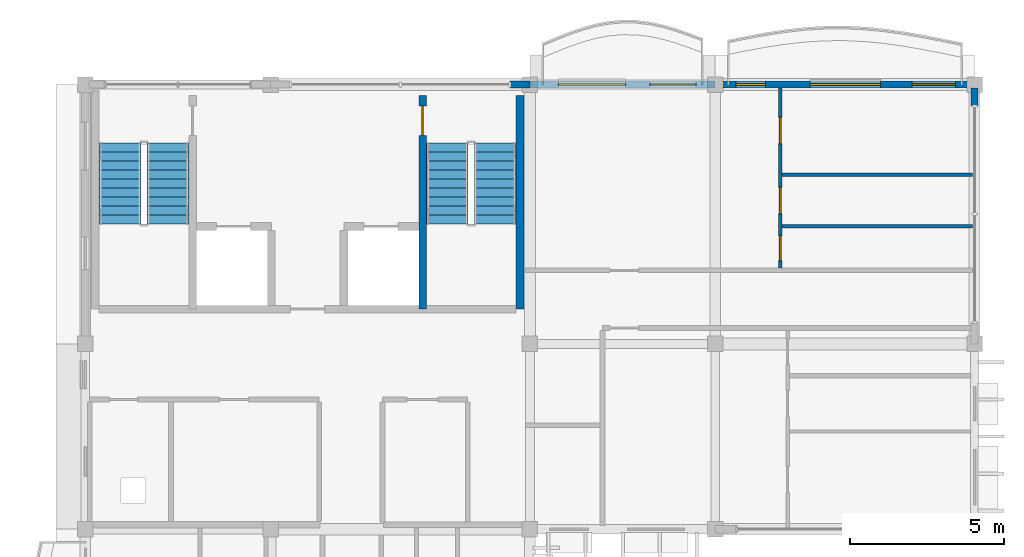
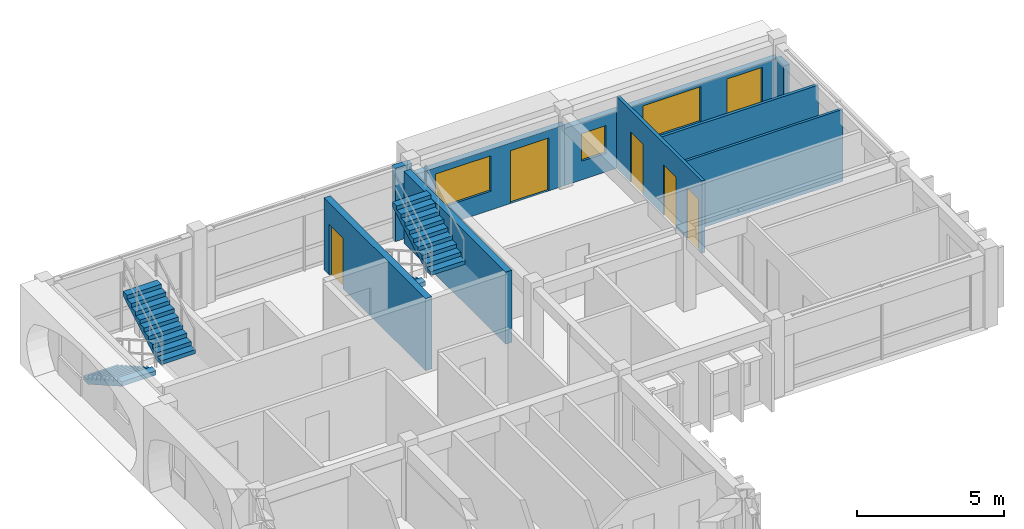
# One storey, part 7 of 10: 9 walls, 6 doors, 4 stair flights, 3 windows, 9 openings, 2 elements without a shape of their own.
"""IFC4 building model written with IfcOpenShell, lengths in metres."""

from ifc_helpers import new_model, si_unit, direction, frame, frame_2d, origin, place, context, subcontext, project, spatial, polyline, rectangle, outline, extrude, material, layer, layer_set, type_object, element, fill, aggregate, save


model = new_model("IFC4")

# Units and contexts
model_context = context("Model", 3, precision=1e-05, world=origin(), true_north=direction((0.0, 1.0)))
body_context = subcontext(model_context, "Body", "Model", "MODEL_VIEW")
ifc_project = project(units=[si_unit("LENGTHUNIT", "METRE"), si_unit("AREAUNIT", "SQUARE_METRE"), si_unit("VOLUMEUNIT", "CUBIC_METRE"), si_unit("PLANEANGLEUNIT", "RADIAN"), si_unit("MASSUNIT", "GRAM", prefix="KILO"), si_unit("THERMODYNAMICTEMPERATUREUNIT", "KELVIN")], contexts=[model_context])

# Site, building, storey
site_placement = place(None, origin())
site = spatial("IfcSite", under=ifc_project, at=site_placement, CompositionType="ELEMENT")
building_placement = place(site_placement, origin())
building = spatial("IfcBuilding", under=site, at=building_placement, Name="Thalorik Housing Commons", CompositionType="ELEMENT")
storey_placement = place(building_placement, frame((0.0, 0.0, 44.39990234375)))
storey = spatial("IfcBuildingStorey", under=building, at=storey_placement, Name="L13", CompositionType="ELEMENT", Elevation=44.39990234375)

# Wall
ifc_material_1 = material(Name="Concrete C40/50", Category="concrete")
ifc_layer_1 = layer(ifc_material_1, 0.25, Name="Concrete C40/50", Category="concrete")
ifc_layer_set_1 = layer_set([ifc_layer_1], Name="Concrete C40/50")
wall_type_1 = type_object("IfcWallType", Name="ARC-WAL-CORE-250", PredefinedType="SHEAR", material=ifc_layer_set_1)
wall_1_placement = place(storey_placement, frame((22.47509765625, 123.25, 0.0), z_axis=(0.0, 0.0, 1.0), x_axis=(0.0, -1.0, 0.0)))
element("IfcWall", 1, at=wall_1_placement, inside=storey, type_object=wall_type_1, Name="L13 Core A Stair 2 Outer Shear Wall", PredefinedType="SHEAR", context=body_context, shape_type="SweptSolid", body=[
    extrude(rectangle(XDim=6.925048828125, YDim=0.25, at=frame_2d((3.46240234375, 0.0))), origin(), (0.0, 0.0, 1.0), 3.0),
])

# Wall, opening, door
wall_2_placement = place(storey_placement, frame((19.324951171875, 123.25, 0.0), z_axis=(0.0, 0.0, 1.0), x_axis=(0.0, -1.0, 0.0)))
wall_2 = element("IfcWall", 2, at=wall_2_placement, inside=storey, type_object=wall_type_1, Name="L13 Core A Stair 2 Shear Wall", PredefinedType="SHEAR", context=body_context, shape_type="SweptSolid", body=[
    extrude(rectangle(XDim=6.925048828125, YDim=0.25, at=frame_2d((3.46240234375, 0.0))), origin(), (0.0, 0.0, 1.0), 3.0),
])
opening_1_placement = place(wall_2_placement, frame((0.35009765625, 0.0, 0.0)))
opening_1 = element("IfcOpeningElement", 3, at=opening_1_placement, cuts=wall_2, Name="Opening ID-0114", PredefinedType="OPENING", context=body_context, shape_type="SweptSolid", body=[
    extrude(rectangle(XDim=0.949951171875, YDim=2.10009765625, at=frame_2d((0.47509765625, 1.050048828125))), frame((0.0, 0.135009765625, 0.0), z_axis=(0.0, -1.0, 0.0), x_axis=(1.0, 0.0, 0.0)), (0.0, 0.0, 1.0), 0.27001953125),
])
ifc_material_2 = material(Name="Steel S355", Category="steel")
door_type_1 = type_object("IfcDoorType", Name="ARC-DR-FD60-950", OperationType="NOTDEFINED", PredefinedType="DOOR", material=ifc_material_2)
door_1_placement = place(opening_1_placement, origin())
door_1 = element("IfcDoor", 4, at=door_1_placement, inside=storey, type_object=door_type_1, Name="L13 Stair ST-A2 Fire Door", OperationType="SINGLE_SWING_LEFT", OverallHeight=2.10009765625, OverallWidth=0.949951171875, PredefinedType="DOOR", context=body_context, shape_type="SweptSolid", body=[
    extrude(rectangle(XDim=0.949951171875, YDim=2.10009765625, at=frame_2d((0.47509765625, 1.050048828125))), frame((0.0, 0.02490234375, 0.0), z_axis=(0.0, -1.0, 0.0), x_axis=(1.0, 0.0, 0.0)), (0.0, 0.0, 1.0), 0.050048828125),
])
fill(opening_1, door_1)

# Wall
ifc_material_3 = material(Name="White precast concrete C40/50", Category="concrete")
ifc_layer_2 = layer(ifc_material_3, 0.235107421875, Name="White precast concrete C40/50", Category="concrete")
ifc_layer_set_2 = layer_set([ifc_layer_2], Name="White precast concrete C40/50")
wall_type_2 = type_object("IfcWallType", Name="ARC-WAL-EXT-235", PredefinedType="STANDARD", material=ifc_layer_set_2)
wall_3_placement = place(storey_placement, frame((37.199951171875, 122.89990234375, 0.0), z_axis=(0.0, 0.0, 1.0), x_axis=(0.0, 1.0, 0.0)))
element("IfcWall", 5, at=wall_3_placement, inside=storey, type_object=wall_type_2, Name="L13 Exterior Wall WAL-PIERR-L13-A-0318", PredefinedType="STANDARD", context=body_context, shape_type="SweptSolid", body=[
    extrude(rectangle(XDim=0.58056640625, YDim=0.235107421875, at=frame_2d((0.290283203125, 0.0))), origin(), (0.0, 0.0, 1.0), 2.425048828125),
])

# Wall, openings, door, windows
wall_4_placement = place(storey_placement, frame((37.199951171875, 123.60009765625, 0.0), z_axis=(0.0, 0.0, 1.0), x_axis=(-1.0, 0.0, 0.0)))
wall_4 = element("IfcWall", 6, at=wall_4_placement, inside=storey, type_object=wall_type_2, Name="L13 Exterior Wall WAL-EXT-L13-A-0319", PredefinedType="STANDARD", context=body_context, shape_type="SweptSolid", body=[
    extrude(rectangle(XDim=8.39990234375, YDim=0.235107421875, at=frame_2d((4.199951171875, 0.0))), origin(), (0.0, 0.0, 1.0), 2.375),
])
opening_2_placement = place(wall_4_placement, frame((0.6201171875, 0.0, 0.0)))
opening_2 = element("IfcOpeningElement", 7, at=opening_2_placement, cuts=wall_4, Name="Opening ED-0101", PredefinedType="OPENING", context=body_context, shape_type="SweptSolid", body=[
    extrude(rectangle(XDim=1.39990234375, YDim=2.199951171875, at=frame_2d((0.699951171875, 1.10009765625))), frame((0.0, 0.12744140625, 0.0), z_axis=(0.0, -1.0, 0.0), x_axis=(1.0, 0.0, 0.0)), (0.0, 0.0, 1.0), 0.255126953125),
])
opening_3_placement = place(wall_4_placement, frame((3.04248046875, 0.0, 0.780029296875)))
opening_3 = element("IfcOpeningElement", 8, at=opening_3_placement, cuts=wall_4, Name="Opening W-67", PredefinedType="OPENING", context=body_context, shape_type="SweptSolid", body=[
    extrude(rectangle(XDim=2.280029296875, YDim=1.4599609375, at=frame_2d((1.14013671875, 0.72998046875))), frame((0.0, 0.12744140625, 0.0), z_axis=(0.0, -1.0, 0.0), x_axis=(1.0, 0.0, 0.0)), (0.0, 0.0, 1.0), 0.255126953125),
])
opening_4_placement = place(wall_4_placement, frame((6.77734375, 0.0, 0.780029296875)))
opening_4 = element("IfcOpeningElement", 9, at=opening_4_placement, cuts=wall_4, Name="Opening W-43", PredefinedType="OPENING", context=body_context, shape_type="SweptSolid", body=[
    extrude(rectangle(XDim=0.949951171875, YDim=1.14990234375, at=frame_2d((0.47509765625, 0.574951171875))), frame((0.0, 0.12744140625, 0.0), z_axis=(0.0, -1.0, 0.0), x_axis=(1.0, 0.0, 0.0)), (0.0, 0.0, 1.0), 0.255126953125),
])
ifc_material_4 = material(Name="Anodised aluminium and laminated safety glass", Category="aluminium")
door_type_2 = type_object("IfcDoorType", Name="ARC-DR-BAL-1400", OperationType="NOTDEFINED", PredefinedType="DOOR", material=ifc_material_4)
door_2_placement = place(opening_2_placement, frame((1.39990234375, 0.0, 0.0), z_axis=(0.0, 0.0, 1.0), x_axis=(-1.0, 0.0, 0.0)))
door_2 = element("IfcDoor", 10, at=door_2_placement, inside=storey, type_object=door_type_2, Name="L13 Block A Balcony Glazed Door", OperationType="SLIDING_TO_LEFT", OverallHeight=2.199951171875, OverallWidth=1.39990234375, PredefinedType="DOOR", context=body_context, shape_type="SweptSolid", body=[
    extrude(rectangle(XDim=1.39990234375, YDim=2.199951171875, at=frame_2d((0.699951171875, 1.10009765625))), frame((0.0, 0.02490234375, 0.0), z_axis=(0.0, -1.0, 0.0), x_axis=(1.0, 0.0, 0.0)), (0.0, 0.0, 1.0), 0.050048828125),
])
fill(opening_2, door_2)
ifc_material_5 = material(Name="Anodised aluminium and solar-control low-E glass", Category="aluminium")
window_type_1 = type_object("IfcWindowType", Name="ARC-WIN-43", PartitioningType="SINGLE_PANEL", PredefinedType="WINDOW", material=ifc_material_5)
window_1_placement = place(opening_4_placement, origin())
window_1 = element("IfcWindow", 11, at=window_1_placement, inside=storey, type_object=window_type_1, Name="L13 Facade Window 574", OverallHeight=1.14990234375, OverallWidth=0.949951171875, PartitioningType="SINGLE_PANEL", PredefinedType="WINDOW", context=body_context, shape_type="SweptSolid", body=[
    extrude(rectangle(XDim=0.949951171875, YDim=1.14990234375, at=frame_2d((0.47509765625, 0.574951171875))), frame((0.0, 0.030029296875, 0.0), z_axis=(0.0, -1.0, 0.0), x_axis=(1.0, 0.0, 0.0)), (0.0, 0.0, 1.0), 0.06005859375),
])
fill(opening_4, window_1)
window_type_2 = type_object("IfcWindowType", Name="ARC-WIN-67", PartitioningType="DOUBLE_PANEL_VERTICAL", PredefinedType="WINDOW", material=ifc_material_5)
window_2_placement = place(opening_3_placement, origin())
window_2 = element("IfcWindow", 12, at=window_2_placement, inside=storey, type_object=window_type_2, Name="L13 Facade Window 573", OverallHeight=1.4599609375, OverallWidth=2.280029296875, PartitioningType="DOUBLE_PANEL_VERTICAL", PredefinedType="WINDOW", context=body_context, shape_type="SweptSolid", body=[
    extrude(rectangle(XDim=2.280029296875, YDim=1.4599609375, at=frame_2d((1.14013671875, 0.72998046875))), frame((0.0, 0.030029296875, 0.0), z_axis=(0.0, -1.0, 0.0), x_axis=(1.0, 0.0, 0.0)), (0.0, 0.0, 1.0), 0.06005859375),
])
fill(opening_3, window_2)

# Wall, openings, door, window
wall_5_placement = place(storey_placement, frame((28.800048828125, 123.60009765625, 0.0), z_axis=(0.0, 0.0, 1.0), x_axis=(-1.0, 0.0, 0.0)))
wall_5 = element("IfcWall", 13, at=wall_5_placement, inside=storey, type_object=wall_type_2, Name="L13 Exterior Wall WAL-EXT-L13-A-0320", PredefinedType="STANDARD", context=body_context, shape_type="SweptSolid", body=[
    extrude(rectangle(XDim=6.0, YDim=0.235107421875, at=frame_2d((3.0, 0.0))), origin(), (0.0, 0.0, 1.0), 2.525146484375),
])
opening_5_placement = place(wall_5_placement, frame((0.6201171875, 0.0, 0.0)))
opening_5 = element("IfcOpeningElement", 14, at=opening_5_placement, cuts=wall_5, Name="Opening ED-0102", PredefinedType="OPENING", context=body_context, shape_type="SweptSolid", body=[
    extrude(rectangle(XDim=1.5, YDim=2.199951171875, at=frame_2d((0.75, 1.10009765625))), frame((0.0, 0.12744140625, 0.0), z_axis=(0.0, -1.0, 0.0), x_axis=(1.0, 0.0, 0.0)), (0.0, 0.0, 1.0), 0.255126953125),
])
opening_6_placement = place(wall_5_placement, frame((2.89990234375, 0.0, 0.780029296875)))
opening_6 = element("IfcOpeningElement", 15, at=opening_6_placement, cuts=wall_5, Name="Opening W-65", PredefinedType="OPENING", context=body_context, shape_type="SweptSolid", body=[
    extrude(rectangle(XDim=2.179931640625, YDim=1.47998046875, at=frame_2d((1.08984375, 0.739990234375))), frame((0.0, 0.12744140625, 0.0), z_axis=(0.0, -1.0, 0.0), x_axis=(1.0, 0.0, 0.0)), (0.0, 0.0, 1.0), 0.255126953125),
])
door_type_3 = type_object("IfcDoorType", Name="ARC-DR-BAL-1500", OperationType="NOTDEFINED", PredefinedType="DOOR", material=ifc_material_4)
door_3_placement = place(opening_5_placement, frame((1.5, 0.0, 0.0), z_axis=(0.0, 0.0, 1.0), x_axis=(-1.0, 0.0, 0.0)))
door_3 = element("IfcDoor", 16, at=door_3_placement, inside=storey, type_object=door_type_3, Name="L13 Block A Balcony Glazed Door", OperationType="SLIDING_TO_RIGHT", OverallHeight=2.199951171875, OverallWidth=1.5, PredefinedType="DOOR", context=body_context, shape_type="SweptSolid", body=[
    extrude(rectangle(XDim=1.5, YDim=2.199951171875, at=frame_2d((0.75, 1.10009765625))), frame((0.0, 0.02490234375, 0.0), z_axis=(0.0, -1.0, 0.0), x_axis=(1.0, 0.0, 0.0)), (0.0, 0.0, 1.0), 0.050048828125),
])
fill(opening_5, door_3)
window_type_3 = type_object("IfcWindowType", Name="ARC-WIN-65", PartitioningType="DOUBLE_PANEL_VERTICAL", PredefinedType="WINDOW", material=ifc_material_5)
window_3_placement = place(opening_6_placement, origin())
window_3 = element("IfcWindow", 17, at=window_3_placement, inside=storey, type_object=window_type_3, Name="L13 Facade Window 575", OverallHeight=1.47998046875, OverallWidth=2.179931640625, PartitioningType="DOUBLE_PANEL_VERTICAL", PredefinedType="WINDOW", context=body_context, shape_type="SweptSolid", body=[
    extrude(rectangle(XDim=2.179931640625, YDim=1.47998046875, at=frame_2d((1.08984375, 0.739990234375))), frame((0.0, 0.030029296875, 0.0), z_axis=(0.0, -1.0, 0.0), x_axis=(1.0, 0.0, 0.0)), (0.0, 0.0, 1.0), 0.06005859375),
])
fill(opening_6, window_3)

# Walls
wall_6_placement = place(storey_placement, frame((22.800048828125, 123.60009765625, 0.0), z_axis=(0.0, 0.0, 1.0), x_axis=(-1.0, 0.0, 0.0)))
element("IfcWall", 18, at=wall_6_placement, inside=storey, type_object=wall_type_2, Name="L13 Exterior Wall WAL-PIERL-L13-A-0321", PredefinedType="STANDARD", context=body_context, shape_type="SweptSolid", body=[
    extrude(rectangle(XDim=0.650146484375, YDim=0.235107421875, at=frame_2d((0.3251953125, 0.0))), origin(), (0.0, 0.0, 1.0), 3.0400390625),
])
ifc_material_6 = material(Name="Gypsum light stud partition", Category="masonry")
ifc_layer_3 = layer(ifc_material_6, 0.10009765625, Name="Gypsum light stud partition", Category="masonry")
ifc_layer_set_3 = layer_set([ifc_layer_3], Name="Gypsum light stud partition")
wall_type_3 = type_object("IfcWallType", Name="ARC-WAL-PART-100", PredefinedType="PARTITIONING", material=ifc_layer_set_3)
wall_7_placement = place(storey_placement, frame((30.9697265625, 119.010498046875, 0.0), z_axis=(0.0, 0.0, 1.0), x_axis=(1.0, 0.0, 0.0)))
element("IfcWall", 19, at=wall_7_placement, inside=storey, type_object=wall_type_3, Name="L13 Unit 1B Wet Wall", PredefinedType="PARTITIONING", context=body_context, shape_type="SweptSolid", body=[
    extrude(rectangle(XDim=6.170166015625, YDim=0.10009765625, at=frame_2d((3.0849609375, 0.0))), origin(), (0.0, 0.0, 1.0), 3.0),
])
ifc_material_7 = material(Name="Gypsum moisture-resistant partition", Category="masonry")
ifc_layer_4 = layer(ifc_material_7, 0.114990234375, Name="Gypsum moisture-resistant partition", Category="masonry")
ifc_layer_set_4 = layer_set([ifc_layer_4], Name="Gypsum moisture-resistant partition")
wall_type_4 = type_object("IfcWallType", Name="ARC-WAL-PART-115", PredefinedType="PARTITIONING", material=ifc_layer_set_4)
wall_8_placement = place(storey_placement, frame((30.9697265625, 120.67919921875, 0.0), z_axis=(0.0, 0.0, 1.0), x_axis=(1.0, 0.0, 0.0)))
element("IfcWall", 20, at=wall_8_placement, inside=storey, type_object=wall_type_4, Name="L13 Unit 1B Bedroom Partition", PredefinedType="PARTITIONING", context=body_context, shape_type="SweptSolid", body=[
    extrude(rectangle(XDim=6.170166015625, YDim=0.114990234375, at=frame_2d((3.0849609375, 0.0))), origin(), (0.0, 0.0, 1.0), 3.0),
])

# Wall, openings, doors
ifc_material_8 = material(Name="Gypsum acoustic stud partition", Category="masonry")
ifc_layer_5 = layer(ifc_material_8, 0.125, Name="Gypsum acoustic stud partition", Category="masonry")
ifc_layer_set_5 = layer_set([ifc_layer_5], Name="Gypsum acoustic stud partition")
wall_type_5 = type_object("IfcWallType", Name="ARC-WAL-PART-125", PredefinedType="PARTITIONING", material=ifc_layer_set_5)
wall_9_placement = place(storey_placement, frame((30.9052734375, 117.656982421875, 0.0), z_axis=(0.0, 0.0, 1.0), x_axis=(0.0, 1.0, 0.0)))
wall_9 = element("IfcWall", 21, at=wall_9_placement, inside=storey, type_object=wall_type_5, Name="L13 Unit 1B Spine Partition", PredefinedType="PARTITIONING", context=body_context, shape_type="SweptSolid", body=[
    extrude(rectangle(XDim=5.823486328125, YDim=0.125, at=frame_2d((2.91162109375, 0.0))), origin(), (0.0, 0.0, 1.0), 3.0),
])
opening_7_placement = place(wall_9_placement, frame((0.23828125, 0.0, 0.0)))
opening_7 = element("IfcOpeningElement", 22, at=opening_7_placement, cuts=wall_9, Name="Opening ID-0928", PredefinedType="OPENING", context=body_context, shape_type="SweptSolid", body=[
    extrude(rectangle(XDim=0.800048828125, YDim=2.10009765625, at=frame_2d((0.39990234375, 1.050048828125))), frame((0.0, 0.072509765625, 0.0), z_axis=(0.0, -1.0, 0.0), x_axis=(1.0, 0.0, 0.0)), (0.0, 0.0, 1.0), 0.14501953125),
])
opening_8_placement = place(wall_9_placement, frame((1.7626953125, 0.0, 0.0)))
opening_8 = element("IfcOpeningElement", 23, at=opening_8_placement, cuts=wall_9, Name="Opening ID-0929", PredefinedType="OPENING", context=body_context, shape_type="SweptSolid", body=[
    extrude(rectangle(XDim=0.85009765625, YDim=2.10009765625, at=frame_2d((0.425048828125, 1.050048828125))), frame((0.0, 0.072509765625, 0.0), z_axis=(0.0, -1.0, 0.0), x_axis=(1.0, 0.0, 0.0)), (0.0, 0.0, 1.0), 0.14501953125),
])
opening_9_placement = place(wall_9_placement, frame((4.027587890625, 0.0, 0.0)))
opening_9 = element("IfcOpeningElement", 24, at=opening_9_placement, cuts=wall_9, Name="Opening ID-0930", PredefinedType="OPENING", context=body_context, shape_type="SweptSolid", body=[
    extrude(rectangle(XDim=0.85009765625, YDim=2.10009765625, at=frame_2d((0.425048828125, 1.050048828125))), frame((0.0, 0.072509765625, 0.0), z_axis=(0.0, -1.0, 0.0), x_axis=(1.0, 0.0, 0.0)), (0.0, 0.0, 1.0), 0.14501953125),
])
ifc_material_9 = material(Name="Moisture-resistant timber", Category="wood")
door_type_4 = type_object("IfcDoorType", Name="ARC-DR-INT-800", OperationType="NOTDEFINED", PredefinedType="DOOR", material=ifc_material_9)
door_4_placement = place(opening_7_placement, origin())
door_4 = element("IfcDoor", 25, at=door_4_placement, inside=storey, type_object=door_type_4, Name="L13 Accessible Bathroom Door", OperationType="SINGLE_SWING_LEFT", OverallHeight=2.10009765625, OverallWidth=0.800048828125, PredefinedType="DOOR", context=body_context, shape_type="SweptSolid", body=[
    extrude(rectangle(XDim=0.800048828125, YDim=2.10009765625, at=frame_2d((0.39990234375, 1.050048828125))), frame((0.0, 0.02490234375, 0.0), z_axis=(0.0, -1.0, 0.0), x_axis=(1.0, 0.0, 0.0)), (0.0, 0.0, 1.0), 0.050048828125),
])
fill(opening_7, door_4)
ifc_material_10 = material(Name="Engineered oak timber", Category="wood")
door_type_5 = type_object("IfcDoorType", Name="ARC-DR-INT-850", OperationType="NOTDEFINED", PredefinedType="DOOR", material=ifc_material_10)
door_5_placement = place(opening_8_placement, origin())
door_5 = element("IfcDoor", 26, at=door_5_placement, inside=storey, type_object=door_type_5, Name="L13 Galley Kitchen Door", OperationType="SINGLE_SWING_RIGHT", OverallHeight=2.10009765625, OverallWidth=0.85009765625, PredefinedType="DOOR", context=body_context, shape_type="SweptSolid", body=[
    extrude(rectangle(XDim=0.85009765625, YDim=2.10009765625, at=frame_2d((0.425048828125, 1.050048828125))), frame((0.0, 0.02490234375, 0.0), z_axis=(0.0, -1.0, 0.0), x_axis=(1.0, 0.0, 0.0)), (0.0, 0.0, 1.0), 0.050048828125),
])
fill(opening_8, door_5)
door_6_placement = place(opening_9_placement, origin())
door_6 = element("IfcDoor", 27, at=door_6_placement, inside=storey, type_object=door_type_5, Name="L13 Double Bedroom Door", OperationType="SINGLE_SWING_LEFT", OverallHeight=2.10009765625, OverallWidth=0.85009765625, PredefinedType="DOOR", context=body_context, shape_type="SweptSolid", body=[
    extrude(rectangle(XDim=0.85009765625, YDim=2.10009765625, at=frame_2d((0.425048828125, 1.050048828125))), frame((0.0, 0.02490234375, 0.0), z_axis=(0.0, -1.0, 0.0), x_axis=(1.0, 0.0, 0.0)), (0.0, 0.0, 1.0), 0.050048828125),
])
fill(opening_9, door_6)

# Stair, stair flights
ifc_material_11 = material(Name="Precast concrete C40/50", Category="concrete")
stair_type = type_object("IfcStairType", Name="ARC-STR-1350-R20", PredefinedType="HALF_TURN_STAIR", material=ifc_material_11)
stair_1_placement = place(storey_placement, origin())
stair_1 = element("IfcStair", 28, at=stair_1_placement, inside=storey, type_object=stair_type, Name="L13 Block A Smoke-Proof Stair 1", PredefinedType="HALF_TURN_STAIR")
stair_flight_type = type_object("IfcStairFlightType", Name="ARC-SFLT-1350-R10", PredefinedType="STRAIGHT", material=ifc_material_11)
stair_flight_1_placement = place(storey_placement, frame((9.52490234375, 121.699951171875, 0.0), z_axis=(0.0, 0.0, 1.0), x_axis=(0.0, -1.0, 0.0)))
stair_flight_1 = element("IfcStairFlight", 29, at=stair_flight_1_placement, type_object=stair_flight_type, Name="ST-A1 flight 1", NumberOfRisers=10, NumberOfTreads=9, PredefinedType="STRAIGHT", RiserHeight=0.165, TreadLength=0.29, context=body_context, shape_type="SweptSolid", body=[
    extrude(outline(polyline([(0.0, 0.0), (0.0, 0.1650390625), (0.2900390625, 0.1650390625), (0.2900390625, 0.330078125), (0.580078125, 0.330078125), (0.580078125, 0.4951171875), (0.8701171875, 0.4951171875), (0.8701171875, 0.659912109375), (1.159912109375, 0.659912109375), (1.159912109375, 0.824951171875), (1.449951171875, 0.824951171875), (1.449951171875, 0.989990234375), (1.739990234375, 0.989990234375), (1.739990234375, 1.155029296875), (2.030029296875, 1.155029296875), (2.030029296875, 1.320068359375), (2.320068359375, 1.320068359375), (2.320068359375, 1.485107421875), (2.610107421875, 1.485107421875), (2.610107421875, 1.64990234375), (2.610107421875, 1.301025390625), (0.323486328125, 0.0), (0.0, 0.0)])), frame((0.0, 0.675048828125, 0.0), z_axis=(0.0, -1.0, 0.0), x_axis=(1.0, 0.0, 0.0)), (0.0, 0.0, 1.0), 1.35009765625),
])
stair_flight_2_placement = place(storey_placement, frame((11.074951171875, 119.090087890625, 1.650146484375), z_axis=(0.0, 0.0, 1.0), x_axis=(0.0, 1.0, 0.0)))
stair_flight_2 = element("IfcStairFlight", 30, at=stair_flight_2_placement, type_object=stair_flight_type, Name="ST-A1 flight 2", NumberOfRisers=10, NumberOfTreads=9, PredefinedType="STRAIGHT", RiserHeight=0.165, TreadLength=0.29, context=body_context, shape_type="SweptSolid", body=[
    extrude(outline(polyline([(0.0, 0.0), (0.0, 0.1650390625), (0.2900390625, 0.1650390625), (0.2900390625, 0.330078125), (0.580078125, 0.330078125), (0.580078125, 0.4951171875), (0.8701171875, 0.4951171875), (0.8701171875, 0.659912109375), (1.159912109375, 0.659912109375), (1.159912109375, 0.824951171875), (1.449951171875, 0.824951171875), (1.449951171875, 0.989990234375), (1.739990234375, 0.989990234375), (1.739990234375, 1.155029296875), (2.030029296875, 1.155029296875), (2.030029296875, 1.320068359375), (2.320068359375, 1.320068359375), (2.320068359375, 1.485107421875), (2.610107421875, 1.485107421875), (2.610107421875, 1.64990234375), (2.610107421875, 1.301025390625), (0.323486328125, 0.0), (0.0, 0.0)])), frame((0.0, 0.675048828125, 0.0), z_axis=(0.0, -1.0, 0.0), x_axis=(1.0, 0.0, 0.0)), (0.0, 0.0, 1.0), 1.35009765625),
])
aggregate(stair_1, [stair_flight_1, stair_flight_2])

stair_2_placement = place(storey_placement, origin())
stair_2 = element("IfcStair", 31, at=stair_2_placement, inside=storey, type_object=stair_type, Name="L13 Block A Smoke-Proof Stair 2", PredefinedType="HALF_TURN_STAIR")
stair_flight_3_placement = place(storey_placement, frame((20.125, 121.699951171875, 0.0), z_axis=(0.0, 0.0, 1.0), x_axis=(0.0, -1.0, 0.0)))
stair_flight_3 = element("IfcStairFlight", 32, at=stair_flight_3_placement, type_object=stair_flight_type, Name="ST-A2 flight 1", NumberOfRisers=10, NumberOfTreads=9, PredefinedType="STRAIGHT", RiserHeight=0.165, TreadLength=0.29, context=body_context, shape_type="SweptSolid", body=[
    extrude(outline(polyline([(0.0, 0.0), (0.0, 0.1650390625), (0.2900390625, 0.1650390625), (0.2900390625, 0.330078125), (0.580078125, 0.330078125), (0.580078125, 0.4951171875), (0.8701171875, 0.4951171875), (0.8701171875, 0.659912109375), (1.159912109375, 0.659912109375), (1.159912109375, 0.824951171875), (1.449951171875, 0.824951171875), (1.449951171875, 0.989990234375), (1.739990234375, 0.989990234375), (1.739990234375, 1.155029296875), (2.030029296875, 1.155029296875), (2.030029296875, 1.320068359375), (2.320068359375, 1.320068359375), (2.320068359375, 1.485107421875), (2.610107421875, 1.485107421875), (2.610107421875, 1.64990234375), (2.610107421875, 1.301025390625), (0.323486328125, 0.0), (0.0, 0.0)])), frame((0.0, 0.675048828125, 0.0), z_axis=(0.0, -1.0, 0.0), x_axis=(1.0, 0.0, 0.0)), (0.0, 0.0, 1.0), 1.35009765625),
])
stair_flight_4_placement = place(storey_placement, frame((21.675048828125, 119.090087890625, 1.650146484375), z_axis=(0.0, 0.0, 1.0), x_axis=(0.0, 1.0, 0.0)))
stair_flight_4 = element("IfcStairFlight", 33, at=stair_flight_4_placement, type_object=stair_flight_type, Name="ST-A2 flight 2", NumberOfRisers=10, NumberOfTreads=9, PredefinedType="STRAIGHT", RiserHeight=0.165, TreadLength=0.29, context=body_context, shape_type="SweptSolid", body=[
    extrude(outline(polyline([(0.0, 0.0), (0.0, 0.1650390625), (0.2900390625, 0.1650390625), (0.2900390625, 0.330078125), (0.580078125, 0.330078125), (0.580078125, 0.4951171875), (0.8701171875, 0.4951171875), (0.8701171875, 0.659912109375), (1.159912109375, 0.659912109375), (1.159912109375, 0.824951171875), (1.449951171875, 0.824951171875), (1.449951171875, 0.989990234375), (1.739990234375, 0.989990234375), (1.739990234375, 1.155029296875), (2.030029296875, 1.155029296875), (2.030029296875, 1.320068359375), (2.320068359375, 1.320068359375), (2.320068359375, 1.485107421875), (2.610107421875, 1.485107421875), (2.610107421875, 1.64990234375), (2.610107421875, 1.301025390625), (0.323486328125, 0.0), (0.0, 0.0)])), frame((0.0, 0.675048828125, 0.0), z_axis=(0.0, -1.0, 0.0), x_axis=(1.0, 0.0, 0.0)), (0.0, 0.0, 1.0), 1.35009765625),
])
aggregate(stair_2, [stair_flight_3, stair_flight_4])

save(model, "model.ifc")
